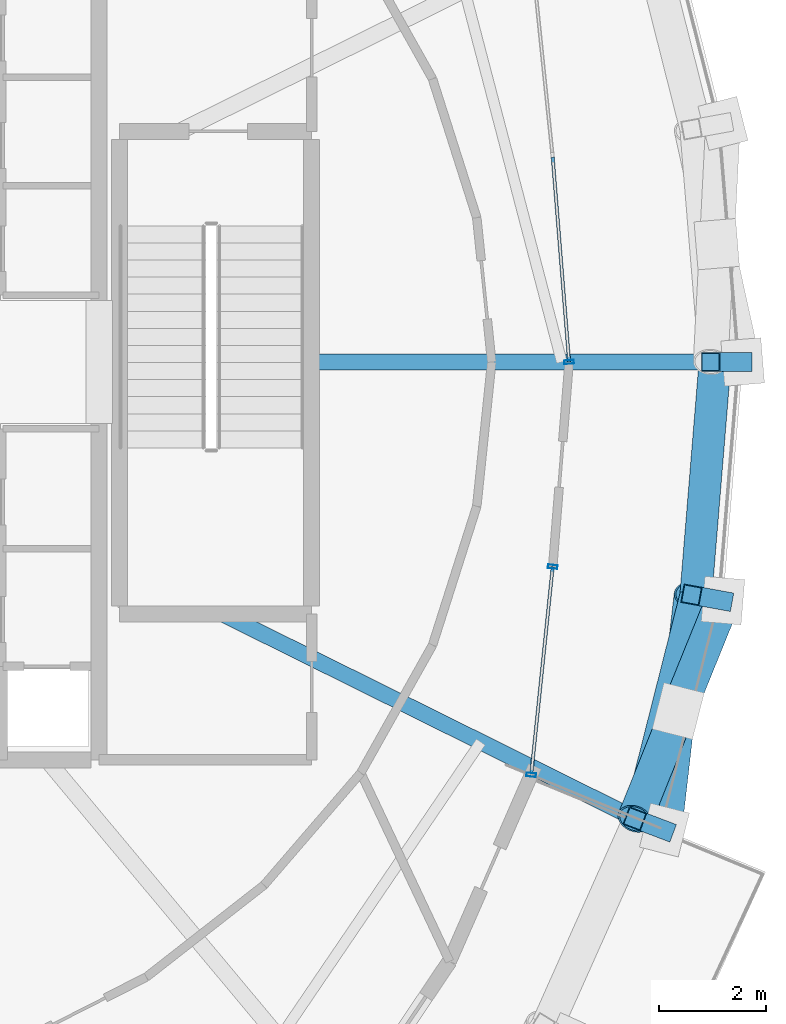
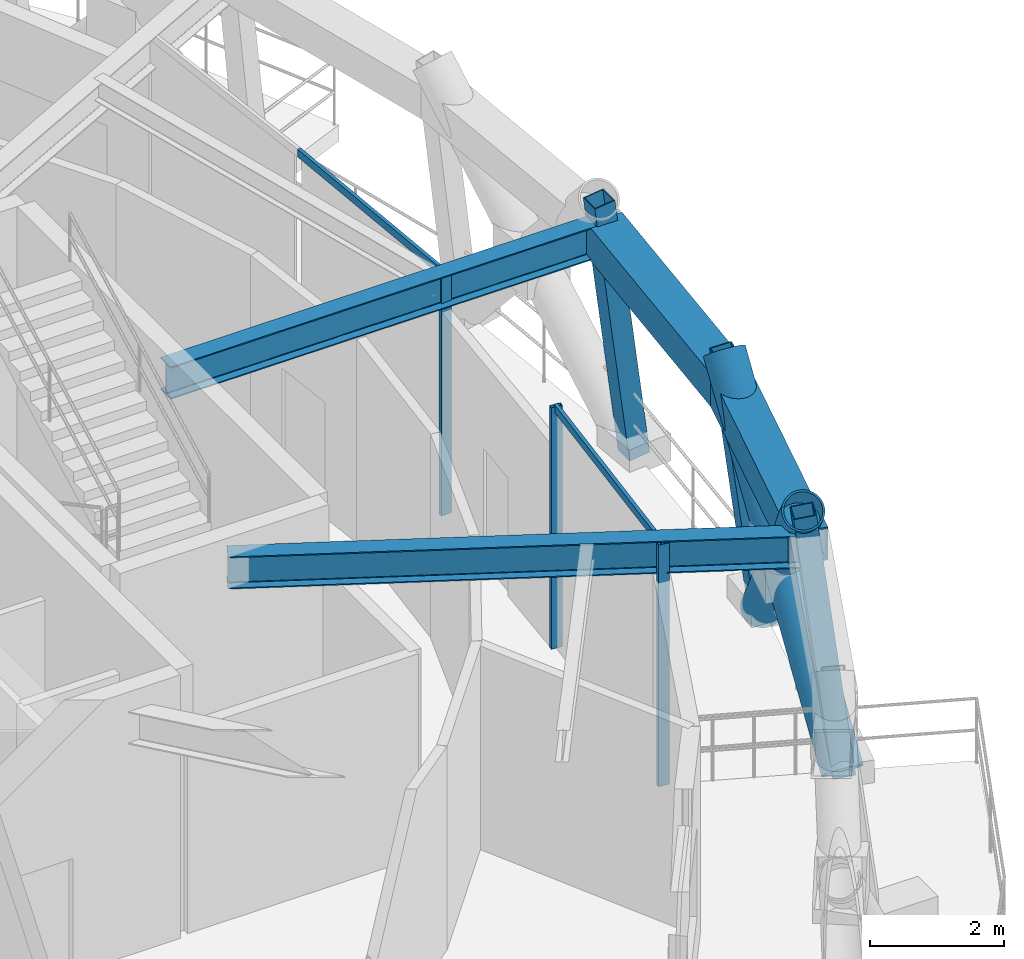
# One storey, part 3 of 11: 11 members, 4 beams, 2 elements without a shape of their own.
"""IFC4 building model written with IfcOpenShell, lengths in metres."""

from ifc_helpers import new_model, si_unit, direction, frame, origin, origin_2d, place, context, subcontext, project, spatial, hollow_rectangle, hollow_circle, i_section, extrude, material, layer, layer_set, material_profile, profile_set, type_object, element, aggregate, save


model = new_model("IFC4")

# Units and contexts
model_context = context("Model", 3, precision=1e-05, world=origin(), true_north=direction((0.0, 1.0)))
body_context = subcontext(model_context, "Body", "Model", "MODEL_VIEW")
ifc_project = project(units=[si_unit("LENGTHUNIT", "METRE"), si_unit("AREAUNIT", "SQUARE_METRE"), si_unit("VOLUMEUNIT", "CUBIC_METRE"), si_unit("PLANEANGLEUNIT", "RADIAN"), si_unit("MASSUNIT", "GRAM", prefix="KILO")], contexts=[model_context])

# Site, building, storey
site_placement = place(None, origin())
site = spatial("IfcSite", under=ifc_project, at=site_placement, CompositionType="ELEMENT")
building_placement = place(site_placement, origin())
building = spatial("IfcBuilding", under=site, at=building_placement, Name="Veldorina Hangang Commons", CompositionType="ELEMENT")
storey_placement = place(building_placement, frame((0.0, 0.0, 297.60009765625)))
storey = spatial("IfcBuildingStorey", under=building, at=storey_placement, Name="L78", CompositionType="ELEMENT", Elevation=297.60009765625)

# Beams
ifc_material_1 = material(Name="Steel SM460-TMC", Category="steel")
ifc_material_profile_1 = material_profile(ifc_material_1, hollow_rectangle(XDim=0.60009765625, YDim=0.60009765625, WallThickness=0.030029296875, at=origin_2d()), Name="BOX-600x600x30")
ifc_profile_set_1 = profile_set([ifc_material_profile_1], Name="Steel SM460-TMC")
beam_type_1 = type_object("IfcBeamType", Name="BM-BLT600", PredefinedType="BEAM", material=ifc_profile_set_1)
beam_1_placement = place(storey_placement, frame((49.306640625, 15.418212890625, 4.139892578125), z_axis=(0.245618613612, 0.969366544011, 0.0), x_axis=(-0.969366544011, 0.245618613612, 0.0)))
element("IfcBeam", 1, at=beam_1_placement, inside=storey, type_object=beam_type_1, Name="L78 perimeter hoop ring beam 30", PredefinedType="BEAM", context=body_context, shape_type="SweptSolid", body=[
    extrude(hollow_rectangle(XDim=0.60009765625, YDim=0.60009765625, WallThickness=0.030029296875, at=origin_2d()), origin(), (0.0, 0.0, 1.0), 4.33984375),
])
beam_2_placement = place(storey_placement, frame((50.37255859375, 19.625, 4.139892578125), z_axis=(0.081977609852, 0.99663417134, 0.0), x_axis=(-0.99663417134, 0.081977609852, 0.0)))
element("IfcBeam", 2, at=beam_2_placement, inside=storey, type_object=beam_type_1, Name="L78 perimeter hoop ring beam 31", PredefinedType="BEAM", context=body_context, shape_type="SweptSolid", body=[
    extrude(hollow_rectangle(XDim=0.60009765625, YDim=0.60009765625, WallThickness=0.030029296875, at=origin_2d()), origin(), (0.0, 0.0, 1.0), 4.389892578125),
])
ifc_material_profile_2 = material_profile(ifc_material_1, i_section(OverallWidth=0.300048828125, OverallDepth=0.587890625, WebThickness=0.011962890625, FlangeThickness=0.02001953125, FilletRadius=0.01806640625, at=origin_2d()), Name="H-588x300x12x20")
ifc_profile_set_2 = profile_set([ifc_material_profile_2], Name="Steel SM460-TMC")
beam_type_2 = type_object("IfcBeamType", Name="BM-FG588", PredefinedType="BEAM", material=ifc_profile_set_2)
beam_3_placement = place(storey_placement, frame((43.179931640625, 24.0, 4.14599609375), z_axis=(1.0, 0.0, 0.0), x_axis=(0.0, 1.0, 0.0)))
element("IfcBeam", 3, at=beam_3_placement, inside=storey, type_object=beam_type_2, Name="L78 radial floor girder 01", PredefinedType="BEAM", context=body_context, shape_type="SweptSolid", body=[
    extrude(i_section(OverallWidth=0.300048828125, OverallDepth=0.587890625, WebThickness=0.011962890625, FlangeThickness=0.02001953125, FilletRadius=0.01806640625, at=origin_2d()), origin(), (0.0, 0.0, 1.0), 7.552490234375),
])
beam_4_placement = place(storey_placement, frame((41.5185546875, 19.280029296875, 4.14599609375), z_axis=(0.895905151531, -0.444245382035, 0.0), x_axis=(0.444245382035, 0.895905151531, 0.0)))
element("IfcBeam", 4, at=beam_4_placement, inside=storey, type_object=beam_type_2, Name="L78 radial floor girder 16", PredefinedType="BEAM", context=body_context, shape_type="SweptSolid", body=[
    extrude(i_section(OverallWidth=0.300048828125, OverallDepth=0.587890625, WebThickness=0.011962890625, FlangeThickness=0.02001953125, FilletRadius=0.01806640625, at=origin_2d()), origin(), (0.0, 0.0, 1.0), 8.69287109375),
])

# Curtain wall, member
ifc_material_2 = material(Name="Glass Acoustic Laminated", Category="glass")
ifc_layer = layer(ifc_material_2, 0.179931640625)
ifc_layer_set = layer_set([ifc_layer], Name="Glass Acoustic Laminated")
curtain_wall_type = type_object("IfcCurtainWallType", Name="CW-SYS-SKY", PredefinedType="NOTDEFINED", material=ifc_layer_set)
curtain_wall_1_placement = place(storey_placement, origin())
curtain_wall_1 = element("IfcCurtainWall", 5, at=curtain_wall_1_placement, inside=storey, type_object=curtain_wall_type, Name="L78 unitised curtain wall CW-L78-R1", PredefinedType="NOTDEFINED")
ifc_material_3 = material(Name="Aluminium Anodized AA6063-T6", Category="aluminium")
ifc_material_profile_3 = material_profile(ifc_material_3, hollow_rectangle(XDim=0.070068359375, YDim=0.179931640625, WallThickness=0.00390625, at=origin_2d()), Name="ALU-RHS-180x70x4")
ifc_profile_set_3 = profile_set([ifc_material_profile_3], Name="Aluminium Anodized AA6063-T6")
member_type_1 = type_object("IfcMemberType", Name="CW-MUL-180", PredefinedType="MULLION", material=ifc_profile_set_3)
member_1_placement = place(storey_placement, frame((48.0, 24.0, 0.0), z_axis=(0.0, 0.0, 1.0), x_axis=(-0.079937965483, 0.996799840326, 0.0)))
member_1 = element("IfcMember", 6, at=member_1_placement, type_object=member_type_1, Name="CW-L78-R1 vertical mullion 1", PredefinedType="MULLION", context=body_context, shape_type="SweptSolid", body=[
    extrude(hollow_rectangle(XDim=0.070068359375, YDim=0.179931640625, WallThickness=0.00390625, at=origin_2d()), origin(), (0.0, 0.0, 1.0), 4.39990234375),
])

# Curtain wall, members
curtain_wall_2_placement = place(storey_placement, origin())
curtain_wall_2 = element("IfcCurtainWall", 7, at=curtain_wall_2_placement, inside=storey, type_object=curtain_wall_type, Name="L78 unitised curtain wall CW-L78-R2", PredefinedType="NOTDEFINED")
member_2_placement = place(storey_placement, frame((47.290283203125, 16.269775390625, 0.0), z_axis=(0.0, 0.0, 1.0), x_axis=(0.10272309318, 0.994709990966, 0.0)))
member_2 = element("IfcMember", 8, at=member_2_placement, type_object=member_type_1, Name="CW-L78-R2 vertical mullion 1", PredefinedType="MULLION", context=body_context, shape_type="SweptSolid", body=[
    extrude(hollow_rectangle(XDim=0.070068359375, YDim=0.179931640625, WallThickness=0.00390625, at=origin_2d()), origin(), (0.0, 0.0, 1.0), 4.39990234375),
])
member_3_placement = place(storey_placement, frame((47.692626953125, 20.16650390625, 0.0), z_axis=(0.0, 0.0, 1.0), x_axis=(-0.10272309318, -0.994709990966, 0.0)))
member_3 = element("IfcMember", 9, at=member_3_placement, type_object=member_type_1, Name="CW-L78-R2 vertical mullion 2", PredefinedType="MULLION", context=body_context, shape_type="SweptSolid", body=[
    extrude(hollow_rectangle(XDim=0.070068359375, YDim=0.179931640625, WallThickness=0.00390625, at=origin_2d()), origin(), (0.0, 0.0, 1.0), 4.39990234375),
])

# Member
ifc_material_profile_4 = material_profile(ifc_material_3, hollow_rectangle(XDim=0.06005859375, YDim=0.139892578125, WallThickness=0.00341796875, at=origin_2d()), Name="ALU-RHS-140x60x3.5")
ifc_profile_set_4 = profile_set([ifc_material_profile_4], Name="Aluminium Anodized AA6063-T6")
member_type_2 = type_object("IfcMemberType", Name="CW-TRN-140", PredefinedType="USERDEFINED", material=ifc_profile_set_4)
member_4_placement = place(storey_placement, frame((48.0, 24.0, 4.35986328125), z_axis=(-0.079924364544, 0.996800930955, 0.0), x_axis=(-0.996800930955, -0.079924364544, 0.0)))
member_4 = element("IfcMember", 10, at=member_4_placement, type_object=member_type_2, Name="CW-L78-R1 facet 1 transom 1", ObjectType="TRANSOM", PredefinedType="USERDEFINED", context=body_context, shape_type="SweptSolid", body=[
    extrude(hollow_rectangle(XDim=0.06005859375, YDim=0.139892578125, WallThickness=0.00341796875, at=origin_2d()), origin(), (0.0, 0.0, 1.0), 3.845703125),
])

aggregate(curtain_wall_1, [member_1, member_4])

member_5_placement = place(storey_placement, frame((47.290283203125, 16.269775390625, 4.35986328125), z_axis=(0.102705659536, 0.994711791173, 0.0), x_axis=(-0.994711791173, 0.102705659536, 0.0)))
member_5 = element("IfcMember", 11, at=member_5_placement, type_object=member_type_2, Name="CW-L78-R2 facet 1 transom 1", ObjectType="TRANSOM", PredefinedType="USERDEFINED", context=body_context, shape_type="SweptSolid", body=[
    extrude(hollow_rectangle(XDim=0.06005859375, YDim=0.139892578125, WallThickness=0.00341796875, at=origin_2d()), origin(), (0.0, 0.0, 1.0), 3.91748046875),
])

aggregate(curtain_wall_2, [member_2, member_3, member_5])

# Members
ifc_material_profile_5 = material_profile(ifc_material_1, hollow_circle(Radius=0.324951171875, WallThickness=0.031982421875, at=origin_2d()), Name="CHS-650x32")
ifc_profile_set_5 = profile_set([ifc_material_profile_5], Name="Steel SM460-TMC")
member_type_3 = type_object("IfcMemberType", Name="DG-CHS650", PredefinedType="BRACE", material=ifc_profile_set_5)
member_6_placement = place(storey_placement, frame((49.78466796875, 15.236572265625, 0.0), z_axis=(0.077579071132, 0.673958838084, 0.734684267077), x_axis=(-0.99344001971, 0.114354393175, 0.0)))
element("IfcMember", 12, at=member_6_placement, inside=storey, type_object=member_type_3, Name="L78 continuous perimeter diagrid brace 30", PredefinedType="BRACE", context=body_context, shape_type="SweptSolid", body=[
    extrude(hollow_circle(Radius=0.324951171875, WallThickness=0.031982421875, at=origin_2d()), origin(), (0.0, 0.0, 1.0), 6.533203125),
])
member_7_placement = place(storey_placement, frame((50.880126953125, 19.532470703125, 0.0), z_axis=(-0.254317314851, -0.626689378592, 0.736602420663), x_axis=(0.926608422429, -0.376027700421, 0.0)))
element("IfcMember", 13, at=member_7_placement, inside=storey, type_object=member_type_3, Name="L78 split perimeter diagrid lower brace 31", PredefinedType="BRACE", context=body_context, shape_type="SweptSolid", body=[
    extrude(hollow_circle(Radius=0.324951171875, WallThickness=0.031982421875, at=origin_2d()), origin(), (0.0, 0.0, 1.0), 3.298583984375),
])
member_8_placement = place(storey_placement, frame((50.041259765625, 17.46533203125, 2.4296875), z_axis=(-0.252041472874, -0.627409471921, 0.736771640669), x_axis=(0.927926062727, -0.372764298333, 0.0)))
element("IfcMember", 14, at=member_8_placement, inside=storey, type_object=member_type_3, Name="L78 split perimeter diagrid upper brace 31", PredefinedType="BRACE", context=body_context, shape_type="SweptSolid", body=[
    extrude(hollow_circle(Radius=0.324951171875, WallThickness=0.031982421875, at=origin_2d()), origin(), (0.0, 0.0, 1.0), 3.216796875),
])
ifc_material_4 = material(Name="Steel SM355-TMC", Category="steel")
ifc_material_profile_6 = material_profile(ifc_material_4, hollow_rectangle(XDim=0.35009765625, YDim=0.35009765625, WallThickness=0.01611328125, at=origin_2d()), Name="SHS-350x350x16")
ifc_profile_set_6 = profile_set([ifc_material_profile_6], Name="Steel SM355-TMC")
member_type_4 = type_object("IfcMemberType", Name="STR-SHS350", PredefinedType="STRUT", material=ifc_profile_set_6)
member_9_placement = place(storey_placement, frame((51.25, 24.0, 0.0), z_axis=(-0.124059582185, 0.0, 0.992274770448), x_axis=(0.0, -1.0, 0.0)))
element("IfcMember", 15, at=member_9_placement, inside=storey, type_object=member_type_4, Name="L78 perimeter ring node post 00", PredefinedType="STRUT", context=body_context, shape_type="SweptSolid", body=[
    extrude(hollow_rectangle(XDim=0.35009765625, YDim=0.35009765625, WallThickness=0.01611328125, at=origin_2d()), origin(), (0.0, 0.0, 1.0), 4.837158203125),
])
member_10_placement = place(storey_placement, frame((49.78466796875, 15.236572265625, 0.0), z_axis=(-0.114592176879, 0.043514738533, 0.992459117812), x_axis=(-0.355001829231, -0.934865605979, 0.0)))
element("IfcMember", 16, at=member_10_placement, inside=storey, type_object=member_type_4, Name="L78 perimeter ring node post 30", PredefinedType="STRUT", context=body_context, shape_type="SweptSolid", body=[
    extrude(hollow_rectangle(XDim=0.35009765625, YDim=0.35009765625, WallThickness=0.01611328125, at=origin_2d()), origin(), (0.0, 0.0, 1.0), 4.836181640625),
])
member_11_placement = place(storey_placement, frame((50.880126953125, 19.532470703125, 0.0), z_axis=(-0.121693008589, 0.022158121431, 0.992320426735), x_axis=(-0.179136795154, -0.983824175664, 0.0)))
element("IfcMember", 17, at=member_11_placement, inside=storey, type_object=member_type_4, Name="L78 perimeter ring node post 31", PredefinedType="STRUT", context=body_context, shape_type="SweptSolid", body=[
    extrude(hollow_rectangle(XDim=0.35009765625, YDim=0.35009765625, WallThickness=0.01611328125, at=origin_2d()), origin(), (0.0, 0.0, 1.0), 4.8369140625),
])

save(model, "model.ifc")
